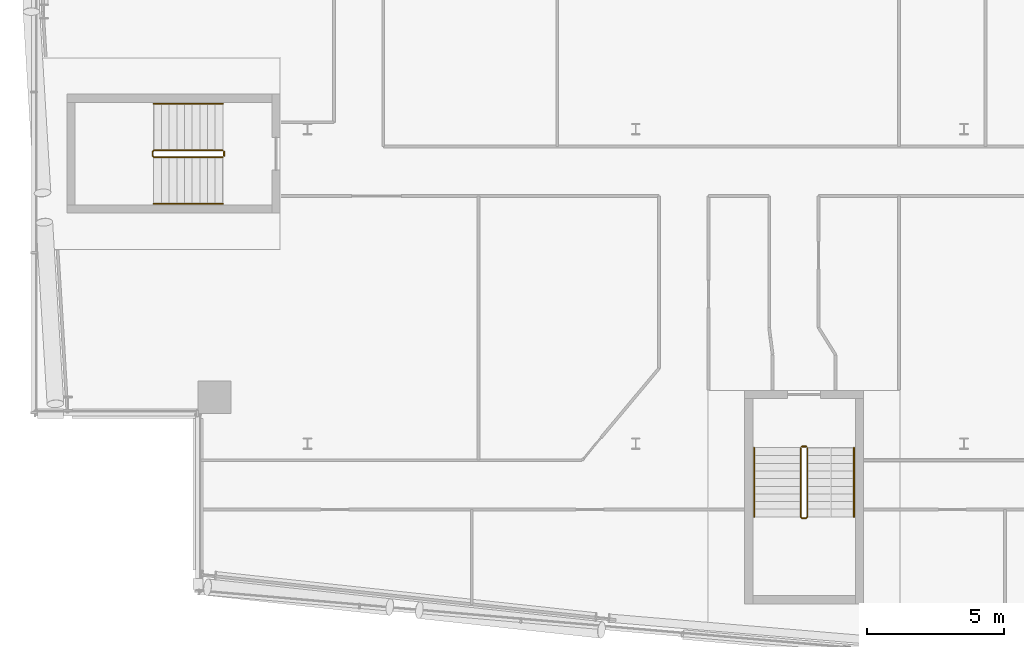
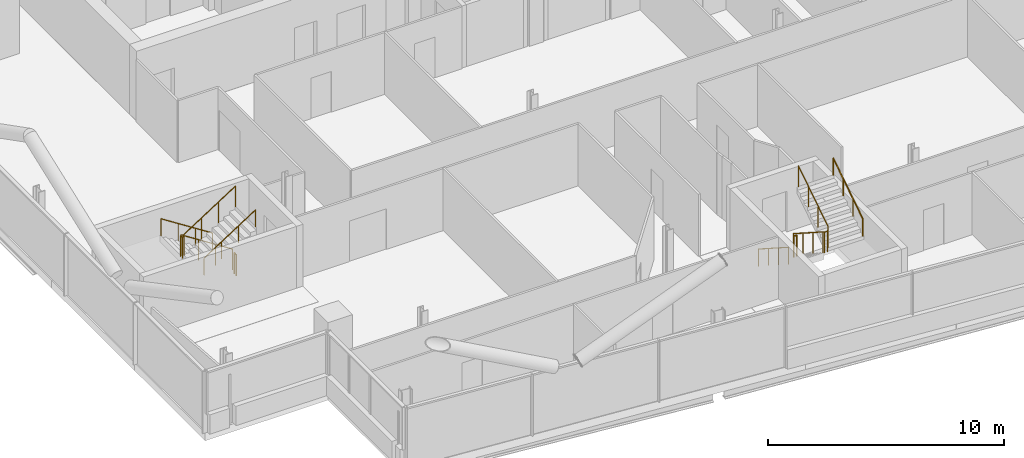
# One storey, part 25 of 27: 8 railings.
"""IFC4 building model written with IfcOpenShell, lengths in metres."""

from ifc_helpers import new_model, si_unit, direction, frame, origin, origin_2d, place, context, subcontext, project, spatial, circle, extrude, material, type_object, element, save


model = new_model("IFC4")

# Units and contexts
model_context = context("Model", 3, precision=1e-05, world=origin(), true_north=direction((0.0, 1.0)))
body_context = subcontext(model_context, "Body", "Model", "MODEL_VIEW")
ifc_project = project(units=[si_unit("LENGTHUNIT", "METRE"), si_unit("AREAUNIT", "SQUARE_METRE"), si_unit("VOLUMEUNIT", "CUBIC_METRE"), si_unit("PLANEANGLEUNIT", "RADIAN"), si_unit("MASSUNIT", "GRAM", prefix="KILO")], contexts=[model_context])

# Site, building, storey
site_placement = place(None, origin())
site = spatial("IfcSite", under=ifc_project, at=site_placement, CompositionType="ELEMENT")
building_placement = place(site_placement, origin())
building = spatial("IfcBuilding", under=site, at=building_placement, Name="Wharfspan Tower", CompositionType="ELEMENT")
storey_placement = place(building_placement, frame((0.0, 0.0, 243.100098)))
storey = spatial("IfcBuildingStorey", under=building, at=storey_placement, Name="L61", CompositionType="ELEMENT", Elevation=243.100098)

# Railings
ifc_material = material(Name="Steel S355J2", Category="steel")
railing_type_1 = type_object("IfcRailingType", Name="Stair guard 1100", PredefinedType="GUARDRAIL", material=ifc_material)
railing_1_placement = place(storey_placement, frame((20.899902, 22.225098, 0.179932)))
element("IfcRailing", 1, at=railing_1_placement, inside=storey, type_object=railing_type_1, Name="L61 ST3 stair guard 1", PredefinedType="GUARDRAIL", context=body_context, shape_type="SweptSolid", body=[
    extrude(circle(Radius=0.023926, at=origin_2d()), frame((0.0, 0.0, 1.076172), z_axis=(-0.8412, 0.0, 0.540725), x_axis=(0.0, -1.0, 0.0)), (0.0, 0.0, 1.0), 2.99585),
    extrude(circle(Radius=0.023926, at=origin_2d()), frame((-2.52002, 0.0, 2.695801), z_axis=(-0.705376, -0.708834, 0.0), x_axis=(0.708834, -0.705376, 0.0)), (0.0, 0.0, 1.0), 0.070557),
    extrude(circle(Radius=0.023926, at=origin_2d()), frame((-2.569824, -0.050049, 2.695801), z_axis=(0.0, -1.0, 0.0), x_axis=(1.0, 0.0, 0.0)), (0.0, 0.0, 1.0), 0.150146),
    extrude(circle(Radius=0.023926, at=origin_2d()), frame((-2.569824, -0.200195, 2.695801), z_axis=(0.25745, -0.25745, 0.931364), x_axis=(0.707107, 0.707107, 0.0)), (0.0, 0.0, 1.0), 0.193359),
    extrude(circle(Radius=0.023926, at=origin_2d()), frame((-2.52002, -0.25, 2.875977), z_axis=(0.8412, 0.0, 0.540725), x_axis=(0.0, 1.0, 0.0)), (0.0, 0.0, 1.0), 2.99585),
    extrude(circle(Radius=0.020996, at=origin_2d()), origin(), (0.0, 0.0, 1.0), 1.052002),
    extrude(circle(Radius=0.020996, at=origin_2d()), frame((-0.840088, 0.0, 0.540039)), (0.0, 0.0, 1.0), 1.052002),
    extrude(circle(Radius=0.020996, at=origin_2d()), frame((-1.679932, 0.0, 1.079834)), (0.0, 0.0, 1.0), 1.052002),
    extrude(circle(Radius=0.020996, at=origin_2d()), frame((-2.52002, 0.0, 1.619873)), (0.0, 0.0, 1.0), 1.052002),
    extrude(circle(Radius=0.020996, at=origin_2d()), frame((-2.569824, -0.050049, 1.619873)), (0.0, 0.0, 1.0), 1.052002),
    extrude(circle(Radius=0.020996, at=origin_2d()), frame((-2.569824, -0.200195, 1.619873)), (0.0, 0.0, 1.0), 1.052002),
    extrude(circle(Radius=0.020996, at=origin_2d()), frame((-2.52002, -0.25, 1.800049)), (0.0, 0.0, 1.0), 1.052002),
    extrude(circle(Radius=0.020996, at=origin_2d()), frame((-1.679932, -0.25, 2.340088)), (0.0, 0.0, 1.0), 1.052002),
    extrude(circle(Radius=0.020996, at=origin_2d()), frame((-0.840088, -0.25, 2.879883)), (0.0, 0.0, 1.0), 1.052002),
    extrude(circle(Radius=0.020996, at=origin_2d()), frame((0.0, -0.25, 3.419922)), (0.0, 0.0, 1.0), 1.052002),
])
railing_2_placement = place(storey_placement, frame((20.949951, 22.175049, 0.0)))
element("IfcRailing", 2, at=railing_2_placement, inside=storey, type_object=railing_type_1, Name="L61 ST3 stair guard 2", PredefinedType="GUARDRAIL", context=body_context, shape_type="SweptSolid", body=[
    extrude(circle(Radius=0.023926, at=origin_2d()), frame((0.0, 0.0, 1.076172), z_axis=(0.0, -1.0, 0.0), x_axis=(1.0, 0.0, 0.0)), (0.0, 0.0, 1.0), 0.150146),
    extrude(circle(Radius=0.020996, at=origin_2d()), origin(), (0.0, 0.0, 1.0), 1.052002),
    extrude(circle(Radius=0.020996, at=origin_2d()), frame((0.0, -0.150146, 0.0)), (0.0, 0.0, 1.0), 1.052002),
])
railing_3_placement = place(storey_placement, frame((42.0271, 11.343262, 0.179932)))
element("IfcRailing", 3, at=railing_3_placement, inside=storey, type_object=railing_type_1, Name="L61 ST4 stair guard 1", PredefinedType="GUARDRAIL", context=body_context, shape_type="SweptSolid", body=[
    extrude(circle(Radius=0.023926, at=origin_2d()), frame((0.0, 0.0, 1.076172), z_axis=(0.0, -0.8412, 0.540725), x_axis=(1.0, 0.0, 0.0)), (0.0, 0.0, 1.0), 2.99585),
    extrude(circle(Radius=0.023926, at=origin_2d()), frame((0.0, -2.52002, 2.695801), z_axis=(0.707107, -0.707107, 0.0), x_axis=(0.707107, 0.707107, 0.0)), (0.0, 0.0, 1.0), 0.070801),
    extrude(circle(Radius=0.023926, at=origin_2d()), frame((0.050049, -2.570068, 2.695801), z_axis=(1.0, 0.0, 0.0), x_axis=(0.0, 1.0, 0.0)), (0.0, 0.0, 1.0), 0.149902),
    extrude(circle(Radius=0.023926, at=origin_2d()), frame((0.199951, -2.570068, 2.695801), z_axis=(0.258544, 0.258544, 0.930758), x_axis=(-0.707107, 0.707107, 0.0)), (0.0, 0.0, 1.0), 0.193604),
    extrude(circle(Radius=0.023926, at=origin_2d()), frame((0.25, -2.52002, 2.875977), z_axis=(0.0, 0.8412, 0.540725), x_axis=(-1.0, 0.0, 0.0)), (0.0, 0.0, 1.0), 2.99585),
    extrude(circle(Radius=0.020996, at=origin_2d()), origin(), (0.0, 0.0, 1.0), 1.052002),
    extrude(circle(Radius=0.020996, at=origin_2d()), frame((0.0, -0.840088, 0.540039)), (0.0, 0.0, 1.0), 1.052002),
    extrude(circle(Radius=0.020996, at=origin_2d()), frame((0.0, -1.679932, 1.079834)), (0.0, 0.0, 1.0), 1.052002),
    extrude(circle(Radius=0.020996, at=origin_2d()), frame((0.0, -2.52002, 1.619873)), (0.0, 0.0, 1.0), 1.052002),
    extrude(circle(Radius=0.020996, at=origin_2d()), frame((0.050049, -2.570068, 1.619873)), (0.0, 0.0, 1.0), 1.052002),
    extrude(circle(Radius=0.020996, at=origin_2d()), frame((0.199951, -2.570068, 1.619873)), (0.0, 0.0, 1.0), 1.052002),
    extrude(circle(Radius=0.020996, at=origin_2d()), frame((0.25, -2.52002, 1.800049)), (0.0, 0.0, 1.0), 1.052002),
    extrude(circle(Radius=0.020996, at=origin_2d()), frame((0.25, -1.679932, 2.340088)), (0.0, 0.0, 1.0), 1.052002),
    extrude(circle(Radius=0.020996, at=origin_2d()), frame((0.25, -0.840088, 2.879883)), (0.0, 0.0, 1.0), 1.052002),
    extrude(circle(Radius=0.020996, at=origin_2d()), frame((0.25, 0.0, 3.419922)), (0.0, 0.0, 1.0), 1.052002),
])
railing_4_placement = place(storey_placement, frame((42.077148, 11.393311, 0.0)))
element("IfcRailing", 4, at=railing_4_placement, inside=storey, type_object=railing_type_1, Name="L61 ST4 stair guard 2", PredefinedType="GUARDRAIL", context=body_context, shape_type="SweptSolid", body=[
    extrude(circle(Radius=0.023926, at=origin_2d()), frame((0.0, 0.0, 1.076172), z_axis=(1.0, 0.0, 0.0), x_axis=(0.0, 1.0, 0.0)), (0.0, 0.0, 1.0), 0.149902),
    extrude(circle(Radius=0.020996, at=origin_2d()), origin(), (0.0, 0.0, 1.0), 1.052002),
    extrude(circle(Radius=0.020996, at=origin_2d()), frame((0.149902, 0.0, 0.0)), (0.0, 0.0, 1.0), 1.052002),
])
railing_type_2 = type_object("IfcRailingType", Name="Stair handrail 900", PredefinedType="HANDRAIL", material=ifc_material)
railing_5_placement = place(storey_placement, frame((20.899902, 23.925049, 0.179932)))
element("IfcRailing", 5, at=railing_5_placement, inside=storey, type_object=railing_type_2, Name="L61 ST3 stair handrail 1", PredefinedType="HANDRAIL", context=body_context, shape_type="SweptSolid", body=[
    extrude(circle(Radius=0.023926, at=origin_2d()), frame((0.0, 0.0, 0.875977), z_axis=(-0.8412, 0.0, 0.540725), x_axis=(0.0, -1.0, 0.0)), (0.0, 0.0, 1.0), 2.99585),
    extrude(circle(Radius=0.020996, at=origin_2d()), origin(), (0.0, 0.0, 1.0), 0.851807),
    extrude(circle(Radius=0.020996, at=origin_2d()), frame((-0.840088, 0.0, 0.540039)), (0.0, 0.0, 1.0), 0.851807),
    extrude(circle(Radius=0.020996, at=origin_2d()), frame((-1.679932, 0.0, 1.079834)), (0.0, 0.0, 1.0), 0.851807),
    extrude(circle(Radius=0.020996, at=origin_2d()), frame((-2.52002, 0.0, 1.619873)), (0.0, 0.0, 1.0), 0.851807),
])
railing_6_placement = place(storey_placement, frame((18.379883, 20.274902, 1.97998)))
element("IfcRailing", 6, at=railing_6_placement, inside=storey, type_object=railing_type_2, Name="L61 ST3 stair handrail 2", PredefinedType="HANDRAIL", context=body_context, shape_type="SweptSolid", body=[
    extrude(circle(Radius=0.023926, at=origin_2d()), frame((0.0, 0.0, 0.875977), z_axis=(0.8412, 0.0, 0.540725), x_axis=(0.0, 1.0, 0.0)), (0.0, 0.0, 1.0), 2.99585),
    extrude(circle(Radius=0.020996, at=origin_2d()), origin(), (0.0, 0.0, 1.0), 0.851807),
    extrude(circle(Radius=0.020996, at=origin_2d()), frame((0.840088, 0.0, 0.540039)), (0.0, 0.0, 1.0), 0.851807),
    extrude(circle(Radius=0.020996, at=origin_2d()), frame((1.679932, 0.0, 1.079834)), (0.0, 0.0, 1.0), 0.851807),
    extrude(circle(Radius=0.020996, at=origin_2d()), frame((2.52002, 0.0, 1.619873)), (0.0, 0.0, 1.0), 0.851807),
])
railing_7_placement = place(storey_placement, frame((40.327148, 11.343262, 0.179932)))
element("IfcRailing", 7, at=railing_7_placement, inside=storey, type_object=railing_type_2, Name="L61 ST4 stair handrail 1", PredefinedType="HANDRAIL", context=body_context, shape_type="SweptSolid", body=[
    extrude(circle(Radius=0.023926, at=origin_2d()), frame((0.0, 0.0, 0.875977), z_axis=(0.0, -0.8412, 0.540725), x_axis=(1.0, 0.0, 0.0)), (0.0, 0.0, 1.0), 2.99585),
    extrude(circle(Radius=0.020996, at=origin_2d()), origin(), (0.0, 0.0, 1.0), 0.851807),
    extrude(circle(Radius=0.020996, at=origin_2d()), frame((0.0, -0.840088, 0.540039)), (0.0, 0.0, 1.0), 0.851807),
    extrude(circle(Radius=0.020996, at=origin_2d()), frame((0.0, -1.679932, 1.079834)), (0.0, 0.0, 1.0), 0.851807),
    extrude(circle(Radius=0.020996, at=origin_2d()), frame((0.0, -2.52002, 1.619873)), (0.0, 0.0, 1.0), 0.851807),
])
railing_8_placement = place(storey_placement, frame((43.977051, 8.823242, 1.97998)))
element("IfcRailing", 8, at=railing_8_placement, inside=storey, type_object=railing_type_2, Name="L61 ST4 stair handrail 2", PredefinedType="HANDRAIL", context=body_context, shape_type="SweptSolid", body=[
    extrude(circle(Radius=0.023926, at=origin_2d()), frame((0.0, 0.0, 0.875977), z_axis=(0.0, 0.8412, 0.540725), x_axis=(-1.0, 0.0, 0.0)), (0.0, 0.0, 1.0), 2.99585),
    extrude(circle(Radius=0.020996, at=origin_2d()), origin(), (0.0, 0.0, 1.0), 0.851807),
    extrude(circle(Radius=0.020996, at=origin_2d()), frame((0.0, 0.840088, 0.540039)), (0.0, 0.0, 1.0), 0.851807),
    extrude(circle(Radius=0.020996, at=origin_2d()), frame((0.0, 1.679932, 1.079834)), (0.0, 0.0, 1.0), 0.851807),
    extrude(circle(Radius=0.020996, at=origin_2d()), frame((0.0, 2.52002, 1.619873)), (0.0, 0.0, 1.0), 0.851807),
])

save(model, "model.ifc")
